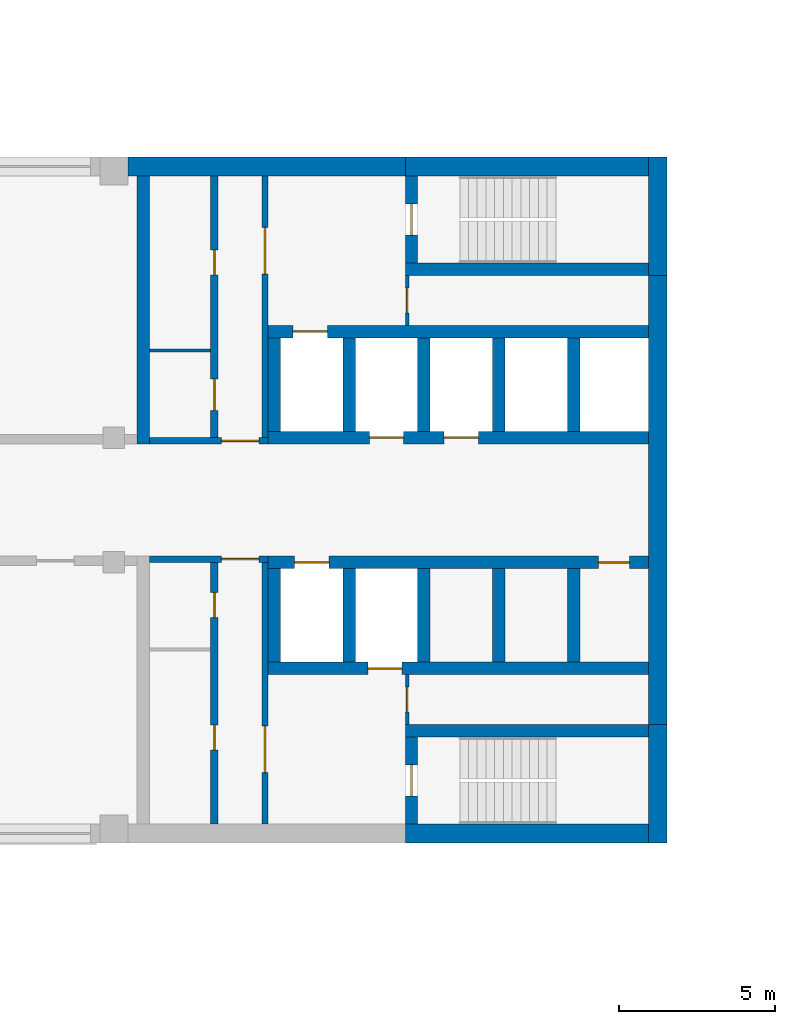
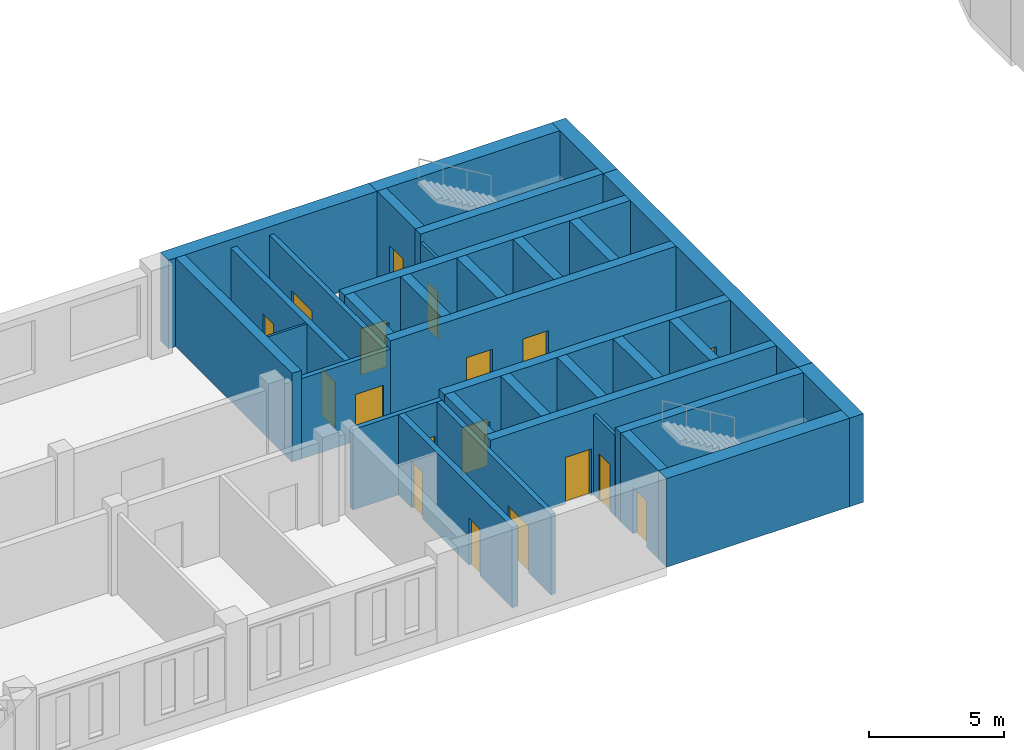
# One storey, part 6 of 12: 34 walls, 18 doors, 18 openings.
"""IFC4 building model written with IfcOpenShell, lengths in metres."""

from ifc_helpers import new_model, si_unit, direction, frame, frame_2d, origin, place, context, subcontext, project, spatial, rectangle, extrude, material, layer, layer_set, type_object, element, fill, save


model = new_model("IFC4")

# Units and contexts
model_context = context("Model", 3, precision=1e-05, world=origin(), true_north=direction((0.0, 1.0)))
body_context = subcontext(model_context, "Body", "Model", "MODEL_VIEW")
ifc_project = project(units=[si_unit("LENGTHUNIT", "METRE"), si_unit("AREAUNIT", "SQUARE_METRE"), si_unit("VOLUMEUNIT", "CUBIC_METRE"), si_unit("PLANEANGLEUNIT", "RADIAN"), si_unit("MASSUNIT", "GRAM", prefix="KILO")], contexts=[model_context])

# Site, building, storey
site_placement = place(None, origin())
site = spatial("IfcSite", under=ifc_project, at=site_placement, CompositionType="ELEMENT")
building_placement = place(site_placement, origin())
building = spatial("IfcBuilding", under=site, at=building_placement, Name="Skarvind Civic Tower", CompositionType="ELEMENT")
storey_placement = place(building_placement, frame((0.0, 0.0, 51.5)))
storey = spatial("IfcBuildingStorey", under=building, at=storey_placement, Name="L11", CompositionType="ELEMENT", Elevation=51.5)

# Wall, opening, door
ifc_material_1 = material(Name="Fire-rated masonry partition", Category="masonry")
ifc_layer_1 = layer(ifc_material_1, 0.199951171875)
ifc_layer_set_1 = layer_set([ifc_layer_1], Name="Core enclosure wall 200")
wall_type_1 = type_object("IfcWallType", Name="Core enclosure wall 200", PredefinedType="PARTITIONING", material=ifc_layer_set_1)
wall_1_placement = place(storey_placement, frame((95.199951171875, 126.10009765625, 0.0), z_axis=(0.0, 0.0, 1.0), x_axis=(-1.0, 0.0, 0.0)))
wall_1 = element("IfcWall", 1, at=wall_1_placement, inside=storey, type_object=wall_type_1, Name="Core wall C1", PredefinedType="PARTITIONING", context=body_context, shape_type="SweptSolid", body=[
    extrude(rectangle(XDim=3.800048828125, YDim=0.199951171875, at=frame_2d((1.89990234375, 0.0))), origin(), (0.0, 0.0, 1.0), 3.625),
])
opening_1_placement = place(wall_1_placement, frame((0.300048828125, 0.0, 0.0)))
opening_1 = element("IfcOpeningElement", 2, at=opening_1_placement, cuts=wall_1, Name="Opening D-L11-C1-05", PredefinedType="OPENING", context=body_context, shape_type="SweptSolid", body=[
    extrude(rectangle(XDim=1.199951171875, YDim=2.10009765625, at=frame_2d((0.60009765625, 1.050048828125))), frame((0.0, 0.10986328125, 0.0), z_axis=(0.0, -1.0, 0.0), x_axis=(1.0, 0.0, 0.0)), (0.0, 0.0, 1.0), 0.219970703125),
])
ifc_material_2 = material(Name="Fire-rated steel door", Category="steel")
door_type_1 = type_object("IfcDoorType", Name="Core lobby door 1200", OperationType="NOTDEFINED", PredefinedType="DOOR", material=ifc_material_2)
door_1_placement = place(opening_1_placement, origin())
door_1 = element("IfcDoor", 3, at=door_1_placement, inside=storey, type_object=door_type_1, Name="Fire door", OperationType="DOUBLE_DOOR_SINGLE_SWING", OverallHeight=2.10009765625, OverallWidth=1.199951171875, PredefinedType="DOOR", context=body_context, shape_type="SweptSolid", body=[
    extrude(rectangle(XDim=1.199951171875, YDim=2.10009765625, at=frame_2d((0.60009765625, 1.050048828125))), frame((0.0, 0.02490234375, 0.0), z_axis=(0.0, -1.0, 0.0), x_axis=(1.0, 0.0, 0.0)), (0.0, 0.0, 1.0), 0.050048828125),
])
fill(opening_1, door_1)

wall_2_placement = place(storey_placement, frame((95.10009765625, 117.60009765625, 0.0), z_axis=(0.0, 0.0, 1.0), x_axis=(0.0, 1.0, 0.0)))
wall_2 = element("IfcWall", 4, at=wall_2_placement, inside=storey, type_object=wall_type_1, Name="Core wall C1", PredefinedType="PARTITIONING", context=body_context, shape_type="SweptSolid", body=[
    extrude(rectangle(XDim=8.39990234375, YDim=0.199951171875, at=frame_2d((4.199951171875, 0.0))), origin(), (0.0, 0.0, 1.0), 3.625),
])
opening_2_placement = place(wall_2_placement, frame((1.64990234375, 0.0, 0.0)))
opening_2 = element("IfcOpeningElement", 5, at=opening_2_placement, cuts=wall_2, Name="Opening D-L11-C1-06", PredefinedType="OPENING", context=body_context, shape_type="SweptSolid", body=[
    extrude(rectangle(XDim=1.5, YDim=2.10009765625, at=frame_2d((0.75, 1.050048828125))), frame((0.0, 0.10986328125, 0.0), z_axis=(0.0, -1.0, 0.0), x_axis=(1.0, 0.0, 0.0)), (0.0, 0.0, 1.0), 0.219970703125),
])
door_type_2 = type_object("IfcDoorType", Name="Fire door 1500", OperationType="NOTDEFINED", PredefinedType="DOOR", material=ifc_material_2)
door_2_placement = place(opening_2_placement, origin())
door_2 = element("IfcDoor", 6, at=door_2_placement, inside=storey, type_object=door_type_2, Name="Fire door", OperationType="DOUBLE_DOOR_SINGLE_SWING", OverallHeight=2.10009765625, OverallWidth=1.5, PredefinedType="DOOR", context=body_context, shape_type="SweptSolid", body=[
    extrude(rectangle(XDim=1.5, YDim=2.10009765625, at=frame_2d((0.75, 1.050048828125))), frame((0.0, 0.02490234375, 0.0), z_axis=(0.0, -1.0, 0.0), x_axis=(1.0, 0.0, 0.0)), (0.0, 0.0, 1.0), 0.050048828125),
])
fill(opening_2, door_2)

wall_3_placement = place(storey_placement, frame((91.39990234375, 129.89990234375, 0.0), z_axis=(0.0, 0.0, 1.0), x_axis=(1.0, 0.0, 0.0)))
wall_3 = element("IfcWall", 7, at=wall_3_placement, inside=storey, type_object=wall_type_1, Name="Core wall C1", PredefinedType="PARTITIONING", context=body_context, shape_type="SweptSolid", body=[
    extrude(rectangle(XDim=3.800048828125, YDim=0.199951171875, at=frame_2d((1.89990234375, 0.0))), origin(), (0.0, 0.0, 1.0), 3.625),
])
opening_3_placement = place(wall_3_placement, frame((2.300048828125, 0.0, 0.0)))
opening_3 = element("IfcOpeningElement", 8, at=opening_3_placement, cuts=wall_3, Name="Opening D-L11-C1-11", PredefinedType="OPENING", context=body_context, shape_type="SweptSolid", body=[
    extrude(rectangle(XDim=1.199951171875, YDim=2.10009765625, at=frame_2d((0.60009765625, 1.050048828125))), frame((0.0, 0.10986328125, 0.0), z_axis=(0.0, -1.0, 0.0), x_axis=(1.0, 0.0, 0.0)), (0.0, 0.0, 1.0), 0.219970703125),
])
door_3_placement = place(opening_3_placement, origin())
door_3 = element("IfcDoor", 9, at=door_3_placement, inside=storey, type_object=door_type_1, Name="Fire door", OperationType="DOUBLE_DOOR_SINGLE_SWING", OverallHeight=2.10009765625, OverallWidth=1.199951171875, PredefinedType="DOOR", context=body_context, shape_type="SweptSolid", body=[
    extrude(rectangle(XDim=1.199951171875, YDim=2.10009765625, at=frame_2d((0.60009765625, 1.050048828125))), frame((0.0, 0.02490234375, 0.0), z_axis=(0.0, -1.0, 0.0), x_axis=(1.0, 0.0, 0.0)), (0.0, 0.0, 1.0), 0.050048828125),
])
fill(opening_3, door_3)

wall_4_placement = place(storey_placement, frame((95.10009765625, 130.0, 0.0), z_axis=(0.0, 0.0, 1.0), x_axis=(0.0, 1.0, 0.0)))
wall_4 = element("IfcWall", 10, at=wall_4_placement, inside=storey, type_object=wall_type_1, Name="Core wall C1", PredefinedType="PARTITIONING", context=body_context, shape_type="SweptSolid", body=[
    extrude(rectangle(XDim=8.39990234375, YDim=0.199951171875, at=frame_2d((4.199951171875, 0.0))), origin(), (0.0, 0.0, 1.0), 3.625),
])
opening_4_placement = place(wall_4_placement, frame((5.25, 0.0, 0.0)))
opening_4 = element("IfcOpeningElement", 11, at=opening_4_placement, cuts=wall_4, Name="Opening D-L11-C1-12", PredefinedType="OPENING", context=body_context, shape_type="SweptSolid", body=[
    extrude(rectangle(XDim=1.5, YDim=2.10009765625, at=frame_2d((0.75, 1.050048828125))), frame((0.0, 0.10986328125, 0.0), z_axis=(0.0, -1.0, 0.0), x_axis=(1.0, 0.0, 0.0)), (0.0, 0.0, 1.0), 0.219970703125),
])
door_4_placement = place(opening_4_placement, origin())
door_4 = element("IfcDoor", 12, at=door_4_placement, inside=storey, type_object=door_type_2, Name="Fire door", OperationType="DOUBLE_DOOR_SINGLE_SWING", OverallHeight=2.10009765625, OverallWidth=1.5, PredefinedType="DOOR", context=body_context, shape_type="SweptSolid", body=[
    extrude(rectangle(XDim=1.5, YDim=2.10009765625, at=frame_2d((0.75, 1.050048828125))), frame((0.0, 0.02490234375, 0.0), z_axis=(0.0, -1.0, 0.0), x_axis=(1.0, 0.0, 0.0)), (0.0, 0.0, 1.0), 0.050048828125),
])
fill(opening_4, door_4)

# Walls
ifc_material_3 = material(Name="Fire-rated plasterboard partition")
ifc_layer_2 = layer(ifc_material_3, 0.10009765625)
ifc_layer_set_2 = layer_set([ifc_layer_2], Name="Core partition wall 100")
wall_type_2 = type_object("IfcWallType", Name="Core partition wall 100", PredefinedType="PARTITIONING", material=ifc_layer_set_2)
wall_5_placement = place(storey_placement, frame((91.39990234375, 132.800048828125, 0.0), z_axis=(0.0, 0.0, 1.0), x_axis=(1.0, 0.0, 0.0)))
element("IfcWall", 13, at=wall_5_placement, inside=storey, type_object=wall_type_2, Name="Core wall C1", PredefinedType="PARTITIONING", context=body_context, shape_type="SweptSolid", body=[
    extrude(rectangle(XDim=1.9501953125, YDim=0.10009765625, at=frame_2d((0.97509765625, 0.0))), origin(), (0.0, 0.0, 1.0), 3.625),
])
ifc_material_4 = material(Name="Concrete C80", Category="concrete")
ifc_layer_3 = layer(ifc_material_4, 0.39990234375)
ifc_layer_set_3 = layer_set([ifc_layer_3], Name="Core wall 400 C80")
wall_type_3 = type_object("IfcWallType", Name="Core wall 400 C80", PredefinedType="SHEAR", material=ifc_layer_set_3)
wall_6_placement = place(storey_placement, frame((107.39990234375, 135.39990234375, 0.0), z_axis=(0.0, 0.0, 1.0), x_axis=(-1.0, 0.0, 0.0)))
element("IfcWall", 14, at=wall_6_placement, inside=storey, type_object=wall_type_3, Name="Core wall C1 south stair inner L11", PredefinedType="SHEAR", context=body_context, shape_type="SweptSolid", body=[
    extrude(rectangle(XDim=7.7998046875, YDim=0.39990234375, at=frame_2d((3.89990234375, 0.0))), origin(), (0.0, 0.0, 1.0), 4.0),
])

# Wall, opening, door
wall_7_placement = place(storey_placement, frame((99.800048828125, 138.39990234375, 0.0), z_axis=(0.0, 0.0, 1.0), x_axis=(0.0, -1.0, 0.0)))
wall_7 = element("IfcWall", 15, at=wall_7_placement, inside=storey, type_object=wall_type_3, Name="Core wall C1 south stair end L11", PredefinedType="SHEAR", context=body_context, shape_type="SweptSolid", body=[
    extrude(rectangle(XDim=2.7998046875, YDim=0.39990234375, at=frame_2d((1.39990234375, 0.0))), origin(), (0.0, 0.0, 1.0), 4.0),
])
opening_5_placement = place(wall_7_placement, frame((0.89990234375, 0.0, 0.0)))
opening_5 = element("IfcOpeningElement", 16, at=opening_5_placement, cuts=wall_7, Name="Opening D-L11-C1-13", PredefinedType="OPENING", context=body_context, shape_type="SweptSolid", body=[
    extrude(rectangle(XDim=1.0, YDim=2.10009765625, at=frame_2d((0.5, 1.050048828125))), frame((0.0, 0.2099609375, 0.0), z_axis=(0.0, -1.0, 0.0), x_axis=(1.0, 0.0, 0.0)), (0.0, 0.0, 1.0), 0.419921875),
])
door_type_3 = type_object("IfcDoorType", Name="Fire door 1000", OperationType="NOTDEFINED", PredefinedType="DOOR", material=ifc_material_2)
door_5_placement = place(opening_5_placement, origin())
door_5 = element("IfcDoor", 17, at=door_5_placement, inside=storey, type_object=door_type_3, Name="Fire door", OperationType="SINGLE_SWING_RIGHT", OverallHeight=2.10009765625, OverallWidth=1.0, PredefinedType="DOOR", context=body_context, shape_type="SweptSolid", body=[
    extrude(rectangle(XDim=1.0, YDim=2.10009765625, at=frame_2d((0.5, 1.050048828125))), frame((0.0, 0.02490234375, 0.0), z_axis=(0.0, -1.0, 0.0), x_axis=(1.0, 0.0, 0.0)), (0.0, 0.0, 1.0), 0.050048828125),
])
fill(opening_5, door_5)

# Wall
wall_8_placement = place(storey_placement, frame((107.39990234375, 120.60009765625, 0.0), z_axis=(0.0, 0.0, 1.0), x_axis=(-1.0, 0.0, 0.0)))
element("IfcWall", 18, at=wall_8_placement, inside=storey, type_object=wall_type_3, Name="Core wall C1 north stair inner L11", PredefinedType="SHEAR", context=body_context, shape_type="SweptSolid", body=[
    extrude(rectangle(XDim=7.7998046875, YDim=0.39990234375, at=frame_2d((3.89990234375, 0.0))), origin(), (0.0, 0.0, 1.0), 4.0),
])

# Wall, opening, door
wall_9_placement = place(storey_placement, frame((99.800048828125, 120.39990234375, 0.0), z_axis=(0.0, 0.0, 1.0), x_axis=(0.0, -1.0, 0.0)))
wall_9 = element("IfcWall", 19, at=wall_9_placement, inside=storey, type_object=wall_type_3, Name="Core wall C1 north stair end L11", PredefinedType="SHEAR", context=body_context, shape_type="SweptSolid", body=[
    extrude(rectangle(XDim=2.7998046875, YDim=0.39990234375, at=frame_2d((1.39990234375, 0.0))), origin(), (0.0, 0.0, 1.0), 4.0),
])
opening_6_placement = place(wall_9_placement, frame((0.89990234375, 0.0, 0.0)))
opening_6 = element("IfcOpeningElement", 20, at=opening_6_placement, cuts=wall_9, Name="Opening D-L11-C1-07", PredefinedType="OPENING", context=body_context, shape_type="SweptSolid", body=[
    extrude(rectangle(XDim=1.0, YDim=2.10009765625, at=frame_2d((0.5, 1.050048828125))), frame((0.0, 0.2099609375, 0.0), z_axis=(0.0, -1.0, 0.0), x_axis=(1.0, 0.0, 0.0)), (0.0, 0.0, 1.0), 0.419921875),
])
door_6_placement = place(opening_6_placement, origin())
door_6 = element("IfcDoor", 21, at=door_6_placement, inside=storey, type_object=door_type_3, Name="Fire door", OperationType="SINGLE_SWING_LEFT", OverallHeight=2.10009765625, OverallWidth=1.0, PredefinedType="DOOR", context=body_context, shape_type="SweptSolid", body=[
    extrude(rectangle(XDim=1.0, YDim=2.10009765625, at=frame_2d((0.5, 1.050048828125))), frame((0.0, 0.02490234375, 0.0), z_axis=(0.0, -1.0, 0.0), x_axis=(1.0, 0.0, 0.0)), (0.0, 0.0, 1.0), 0.050048828125),
])
fill(opening_6, door_6)

# Wall, openings, doors
wall_10_placement = place(storey_placement, frame((107.39990234375, 130.0, 0.0), z_axis=(0.0, 0.0, 1.0), x_axis=(-1.0, 0.0, 0.0)))
wall_10 = element("IfcWall", 22, at=wall_10_placement, inside=storey, type_object=wall_type_3, Name="Core wall C1 south lift row front L11", PredefinedType="SHEAR", context=body_context, shape_type="SweptSolid", body=[
    extrude(rectangle(XDim=12.199951171875, YDim=0.39990234375, at=frame_2d((6.10009765625, 0.0))), origin(), (0.0, 0.0, 1.0), 4.0),
])
opening_7_placement = place(wall_10_placement, frame((5.449951171875, 0.0, 0.0)))
opening_7 = element("IfcOpeningElement", 23, at=opening_7_placement, cuts=wall_10, Name="Opening LD13108", PredefinedType="OPENING", context=body_context, shape_type="SweptSolid", body=[
    extrude(rectangle(XDim=1.10009765625, YDim=2.10009765625, at=frame_2d((0.550048828125, 1.050048828125))), frame((0.0, 0.2099609375, 0.0), z_axis=(0.0, -1.0, 0.0), x_axis=(1.0, 0.0, 0.0)), (0.0, 0.0, 1.0), 0.419921875),
])
opening_8_placement = place(wall_10_placement, frame((7.85009765625, 0.0, 0.0)))
opening_8 = element("IfcOpeningElement", 24, at=opening_8_placement, cuts=wall_10, Name="Opening LD13109", PredefinedType="OPENING", context=body_context, shape_type="SweptSolid", body=[
    extrude(rectangle(XDim=1.10009765625, YDim=2.10009765625, at=frame_2d((0.550048828125, 1.050048828125))), frame((0.0, 0.2099609375, 0.0), z_axis=(0.0, -1.0, 0.0), x_axis=(1.0, 0.0, 0.0)), (0.0, 0.0, 1.0), 0.419921875),
])
ifc_material_5 = material(Name="Stainless steel landing door", Category="steel")
door_type_4 = type_object("IfcDoorType", Name="Lift landing door 1100", OperationType="DOUBLE_DOOR_SLIDING", PredefinedType="DOOR", material=ifc_material_5)
door_7_placement = place(opening_7_placement, origin())
door_7 = element("IfcDoor", 25, at=door_7_placement, inside=storey, type_object=door_type_4, Name="Lift landing door", OperationType="DOUBLE_DOOR_SLIDING", OverallHeight=2.10009765625, OverallWidth=1.10009765625, PredefinedType="DOOR", context=body_context, shape_type="SweptSolid", body=[
    extrude(rectangle(XDim=1.10009765625, YDim=2.10009765625, at=frame_2d((0.550048828125, 1.050048828125))), frame((0.0, 0.02490234375, 0.0), z_axis=(0.0, -1.0, 0.0), x_axis=(1.0, 0.0, 0.0)), (0.0, 0.0, 1.0), 0.050048828125),
])
fill(opening_7, door_7)
door_8_placement = place(opening_8_placement, origin())
door_8 = element("IfcDoor", 26, at=door_8_placement, inside=storey, type_object=door_type_4, Name="Lift landing door", OperationType="DOUBLE_DOOR_SLIDING", OverallHeight=2.10009765625, OverallWidth=1.10009765625, PredefinedType="DOOR", context=body_context, shape_type="SweptSolid", body=[
    extrude(rectangle(XDim=1.10009765625, YDim=2.10009765625, at=frame_2d((0.550048828125, 1.050048828125))), frame((0.0, 0.02490234375, 0.0), z_axis=(0.0, -1.0, 0.0), x_axis=(1.0, 0.0, 0.0)), (0.0, 0.0, 1.0), 0.050048828125),
])
fill(opening_8, door_8)

# Wall, opening, door
wall_11_placement = place(storey_placement, frame((107.39990234375, 133.39990234375, 0.0), z_axis=(0.0, 0.0, 1.0), x_axis=(-1.0, 0.0, 0.0)))
wall_11 = element("IfcWall", 27, at=wall_11_placement, inside=storey, type_object=wall_type_3, Name="Core wall C1 south lift row back L11", PredefinedType="SHEAR", context=body_context, shape_type="SweptSolid", body=[
    extrude(rectangle(XDim=12.199951171875, YDim=0.39990234375, at=frame_2d((6.10009765625, 0.0))), origin(), (0.0, 0.0, 1.0), 4.0),
])
opening_9_placement = place(wall_11_placement, frame((10.300048828125, 0.0, 0.0)))
opening_9 = element("IfcOpeningElement", 28, at=opening_9_placement, cuts=wall_11, Name="Opening LD13110", PredefinedType="OPENING", context=body_context, shape_type="SweptSolid", body=[
    extrude(rectangle(XDim=1.10009765625, YDim=2.10009765625, at=frame_2d((0.550048828125, 1.050048828125))), frame((0.0, 0.2099609375, 0.0), z_axis=(0.0, -1.0, 0.0), x_axis=(1.0, 0.0, 0.0)), (0.0, 0.0, 1.0), 0.419921875),
])
door_9_placement = place(opening_9_placement, origin())
door_9 = element("IfcDoor", 29, at=door_9_placement, inside=storey, type_object=door_type_4, Name="Lift landing door", OperationType="DOUBLE_DOOR_SLIDING", OverallHeight=2.10009765625, OverallWidth=1.10009765625, PredefinedType="DOOR", context=body_context, shape_type="SweptSolid", body=[
    extrude(rectangle(XDim=1.10009765625, YDim=2.10009765625, at=frame_2d((0.550048828125, 1.050048828125))), frame((0.0, 0.02490234375, 0.0), z_axis=(0.0, -1.0, 0.0), x_axis=(1.0, 0.0, 0.0)), (0.0, 0.0, 1.0), 0.050048828125),
])
fill(opening_9, door_9)

# Walls
for number, where, z_axis, x_axis, name in (
    (30, (105.0, 133.199951171875, 0.0), (0.0, 0.0, 1.0), (0.0, -1.0, 0.0), "Core wall C1 south lift row division 1 L11"),
    (31, (102.60009765625, 133.199951171875, 0.0), (0.0, 0.0, 1.0), (0.0, -1.0, 0.0), "Core wall C1 south lift row division 2 L11"),
    (32, (100.199951171875, 133.199951171875, 0.0), (0.0, 0.0, 1.0), (0.0, -1.0, 0.0), "Core wall C1 south lift row division 3 L11"),
    (33, (97.800048828125, 133.199951171875, 0.0), (0.0, 0.0, 1.0), (0.0, -1.0, 0.0), "Core wall C1 south lift row division 4 L11"),
    (34, (95.39990234375, 133.199951171875, 0.0), (0.0, 0.0, 1.0), (0.0, -1.0, 0.0), "Core wall C1 south lift row division 5 L11"),
):
    element("IfcWall", number, at=place(storey_placement, frame(where, z_axis=z_axis, x_axis=x_axis)), inside=storey, type_object=wall_type_3, Name=name, PredefinedType="SHEAR", context=body_context, shape_type="SweptSolid", body=[
        extrude(rectangle(XDim=3.0, YDim=0.39990234375, at=frame_2d((1.5, 0.0))), origin(), (0.0, 0.0, 1.0), 4.0),
    ])

# Wall, openings, doors
wall_12_placement = place(storey_placement, frame((107.39990234375, 126.0, 0.0), z_axis=(0.0, 0.0, 1.0), x_axis=(-1.0, 0.0, 0.0)))
wall_12 = element("IfcWall", 35, at=wall_12_placement, inside=storey, type_object=wall_type_3, Name="Core wall C1 north lift row front L11", PredefinedType="SHEAR", context=body_context, shape_type="SweptSolid", body=[
    extrude(rectangle(XDim=12.199951171875, YDim=0.39990234375, at=frame_2d((6.10009765625, 0.0))), origin(), (0.0, 0.0, 1.0), 4.0),
])
opening_10_placement = place(wall_12_placement, frame((10.25, 0.0, 0.0)))
opening_10 = element("IfcOpeningElement", 36, at=opening_10_placement, cuts=wall_12, Name="Opening LD13105", PredefinedType="OPENING", context=body_context, shape_type="SweptSolid", body=[
    extrude(rectangle(XDim=1.10009765625, YDim=2.10009765625, at=frame_2d((0.550048828125, 1.050048828125))), frame((0.0, 0.2099609375, 0.0), z_axis=(0.0, -1.0, 0.0), x_axis=(1.0, 0.0, 0.0)), (0.0, 0.0, 1.0), 0.419921875),
])
opening_11_placement = place(wall_12_placement, frame((0.60009765625, 0.0, 0.0)))
opening_11 = element("IfcOpeningElement", 37, at=opening_11_placement, cuts=wall_12, Name="Opening D-L11-C1-04", PredefinedType="OPENING", context=body_context, shape_type="SweptSolid", body=[
    extrude(rectangle(XDim=1.0, YDim=2.10009765625, at=frame_2d((0.5, 1.050048828125))), frame((0.0, 0.2099609375, 0.0), z_axis=(0.0, -1.0, 0.0), x_axis=(1.0, 0.0, 0.0)), (0.0, 0.0, 1.0), 0.419921875),
])
door_10_placement = place(opening_11_placement, origin())
door_10 = element("IfcDoor", 38, at=door_10_placement, inside=storey, type_object=door_type_3, Name="Fire door", OperationType="SINGLE_SWING_LEFT", OverallHeight=2.10009765625, OverallWidth=1.0, PredefinedType="DOOR", context=body_context, shape_type="SweptSolid", body=[
    extrude(rectangle(XDim=1.0, YDim=2.10009765625, at=frame_2d((0.5, 1.050048828125))), frame((0.0, 0.02490234375, 0.0), z_axis=(0.0, -1.0, 0.0), x_axis=(1.0, 0.0, 0.0)), (0.0, 0.0, 1.0), 0.050048828125),
])
fill(opening_11, door_10)
door_11_placement = place(opening_10_placement, origin())
door_11 = element("IfcDoor", 39, at=door_11_placement, inside=storey, type_object=door_type_4, Name="Lift landing door", OperationType="DOUBLE_DOOR_SLIDING", OverallHeight=2.10009765625, OverallWidth=1.10009765625, PredefinedType="DOOR", context=body_context, shape_type="SweptSolid", body=[
    extrude(rectangle(XDim=1.10009765625, YDim=2.10009765625, at=frame_2d((0.550048828125, 1.050048828125))), frame((0.0, 0.02490234375, 0.0), z_axis=(0.0, -1.0, 0.0), x_axis=(1.0, 0.0, 0.0)), (0.0, 0.0, 1.0), 0.050048828125),
])
fill(opening_10, door_11)

# Wall, opening, door
wall_13_placement = place(storey_placement, frame((107.39990234375, 122.60009765625, 0.0), z_axis=(0.0, 0.0, 1.0), x_axis=(-1.0, 0.0, 0.0)))
wall_13 = element("IfcWall", 40, at=wall_13_placement, inside=storey, type_object=wall_type_3, Name="Core wall C1 north lift row back L11", PredefinedType="SHEAR", context=body_context, shape_type="SweptSolid", body=[
    extrude(rectangle(XDim=12.199951171875, YDim=0.39990234375, at=frame_2d((6.10009765625, 0.0))), origin(), (0.0, 0.0, 1.0), 4.0),
])
opening_12_placement = place(wall_13_placement, frame((7.89990234375, 0.0, 0.0)))
opening_12 = element("IfcOpeningElement", 41, at=opening_12_placement, cuts=wall_13, Name="Opening LD13104", PredefinedType="OPENING", context=body_context, shape_type="SweptSolid", body=[
    extrude(rectangle(XDim=1.10009765625, YDim=2.10009765625, at=frame_2d((0.550048828125, 1.050048828125))), frame((0.0, 0.2099609375, 0.0), z_axis=(0.0, -1.0, 0.0), x_axis=(1.0, 0.0, 0.0)), (0.0, 0.0, 1.0), 0.419921875),
])
door_12_placement = place(opening_12_placement, origin())
door_12 = element("IfcDoor", 42, at=door_12_placement, inside=storey, type_object=door_type_4, Name="Lift landing door", OperationType="DOUBLE_DOOR_SLIDING", OverallHeight=2.10009765625, OverallWidth=1.10009765625, PredefinedType="DOOR", context=body_context, shape_type="SweptSolid", body=[
    extrude(rectangle(XDim=1.10009765625, YDim=2.10009765625, at=frame_2d((0.550048828125, 1.050048828125))), frame((0.0, 0.02490234375, 0.0), z_axis=(0.0, -1.0, 0.0), x_axis=(1.0, 0.0, 0.0)), (0.0, 0.0, 1.0), 0.050048828125),
])
fill(opening_12, door_12)

# Walls
for number, where, z_axis, x_axis, name in (
    (43, (105.0, 125.800048828125, 0.0), (0.0, 0.0, 1.0), (0.0, -1.0, 0.0), "Core wall C1 north lift row division 1 L11"),
    (44, (102.60009765625, 125.800048828125, 0.0), (0.0, 0.0, 1.0), (0.0, -1.0, 0.0), "Core wall C1 north lift row division 2 L11"),
    (45, (100.199951171875, 125.800048828125, 0.0), (0.0, 0.0, 1.0), (0.0, -1.0, 0.0), "Core wall C1 north lift row division 3 L11"),
    (46, (97.800048828125, 125.800048828125, 0.0), (0.0, 0.0, 1.0), (0.0, -1.0, 0.0), "Core wall C1 north lift row division 4 L11"),
    (47, (95.39990234375, 125.800048828125, 0.0), (0.0, 0.0, 1.0), (0.0, -1.0, 0.0), "Core wall C1 north lift row division 5 L11"),
):
    element("IfcWall", number, at=place(storey_placement, frame(where, z_axis=z_axis, x_axis=x_axis)), inside=storey, type_object=wall_type_3, Name=name, PredefinedType="SHEAR", context=body_context, shape_type="SweptSolid", body=[
        extrude(rectangle(XDim=3.0, YDim=0.39990234375, at=frame_2d((1.5, 0.0))), origin(), (0.0, 0.0, 1.0), 4.0),
    ])
wall_14_placement = place(storey_placement, frame((91.199951171875, 138.39990234375, 0.0), z_axis=(0.0, 0.0, 1.0), x_axis=(0.0, -1.0, 0.0)))
element("IfcWall", 48, at=wall_14_placement, inside=storey, type_object=wall_type_3, Name="Core wall C1 south inner face L11", PredefinedType="SHEAR", context=body_context, shape_type="SweptSolid", body=[
    extrude(rectangle(XDim=8.599853515625, YDim=0.39990234375, at=frame_2d((4.2998046875, 0.0))), origin(), (0.0, 0.0, 1.0), 4.0),
])
ifc_layer_4 = layer(ifc_material_4, 0.60009765625)
ifc_layer_set_4 = layer_set([ifc_layer_4], Name="Core wall 600 C80")
wall_type_4 = type_object("IfcWallType", Name="Core wall 600 C80", PredefinedType="SHEAR", material=ifc_layer_set_4)
wall_15_placement = place(storey_placement, frame((107.699951171875, 139.0, 0.0), z_axis=(0.0, 0.0, 1.0), x_axis=(0.0, -1.0, 0.0)))
element("IfcWall", 49, at=wall_15_placement, inside=storey, type_object=wall_type_4, Name="Core wall C1 tip at the south stair L11", PredefinedType="SHEAR", context=body_context, shape_type="SweptSolid", body=[
    extrude(rectangle(XDim=3.800048828125, YDim=0.60009765625, at=frame_2d((1.89990234375, 0.0))), origin(), (0.0, 0.0, 1.0), 4.0),
])
wall_16_placement = place(storey_placement, frame((107.699951171875, 135.199951171875, 0.0), z_axis=(0.0, 0.0, 1.0), x_axis=(0.0, -1.0, 0.0)))
element("IfcWall", 50, at=wall_16_placement, inside=storey, type_object=wall_type_4, Name="Core wall C1 tip between the stairs L11", PredefinedType="SHEAR", context=body_context, shape_type="SweptSolid", body=[
    extrude(rectangle(XDim=14.39990234375, YDim=0.60009765625, at=frame_2d((7.199951171875, 0.0))), origin(), (0.0, 0.0, 1.0), 4.0),
])
wall_17_placement = place(storey_placement, frame((107.699951171875, 120.800048828125, 0.0), z_axis=(0.0, 0.0, 1.0), x_axis=(0.0, -1.0, 0.0)))
element("IfcWall", 51, at=wall_17_placement, inside=storey, type_object=wall_type_4, Name="Core wall C1 tip at the north stair L11", PredefinedType="SHEAR", context=body_context, shape_type="SweptSolid", body=[
    extrude(rectangle(XDim=3.800048828125, YDim=0.60009765625, at=frame_2d((1.89990234375, 0.0))), origin(), (0.0, 0.0, 1.0), 4.0),
])
for number, where, z_axis, x_axis, name in (
    (52, (107.39990234375, 138.699951171875, 0.0), (0.0, 0.0, 1.0), (-1.0, 0.0, 0.0), "Core wall C1 south side at the stair L11"),
    (53, (107.39990234375, 117.300048828125, 0.0), (0.0, 0.0, 1.0), (-1.0, 0.0, 0.0), "Core wall C1 north side at the stair L11"),
):
    element("IfcWall", number, at=place(storey_placement, frame(where, z_axis=z_axis, x_axis=x_axis)), inside=storey, type_object=wall_type_4, Name=name, PredefinedType="SHEAR", context=body_context, shape_type="SweptSolid", body=[
        extrude(rectangle(XDim=7.7998046875, YDim=0.60009765625, at=frame_2d((3.89990234375, 0.0))), origin(), (0.0, 0.0, 1.0), 4.0),
    ])
wall_18_placement = place(storey_placement, frame((99.60009765625, 138.699951171875, 0.0), z_axis=(0.0, 0.0, 1.0), x_axis=(-1.0, 0.0, 0.0)))
element("IfcWall", 54, at=wall_18_placement, inside=storey, type_object=wall_type_4, Name="Core wall C1 south side L11", PredefinedType="SHEAR", context=body_context, shape_type="SweptSolid", body=[
    extrude(rectangle(XDim=8.900146484375, YDim=0.60009765625, at=frame_2d((4.4501953125, 0.0))), origin(), (0.0, 0.0, 1.0), 4.0),
])

# Wall, opening, door
ifc_layer_5 = layer(ifc_material_1, 0.125)
ifc_layer_set_5 = layer_set([ifc_layer_5], Name="Riser wall 125")
wall_type_5 = type_object("IfcWallType", Name="Riser wall 125", PredefinedType="PARTITIONING", material=ifc_layer_set_5)
wall_19_placement = place(storey_placement, frame((99.66259765625, 120.800048828125, 0.0), z_axis=(0.0, 0.0, 1.0), x_axis=(0.0, 1.0, 0.0)))
wall_19 = element("IfcWall", 55, at=wall_19_placement, inside=storey, type_object=wall_type_5, Name="Core wall C1", PredefinedType="PARTITIONING", context=body_context, shape_type="SweptSolid", body=[
    extrude(rectangle(XDim=1.599853515625, YDim=0.125, at=frame_2d((0.7998046875, 0.0))), origin(), (0.0, 0.0, 1.0), 3.625),
])
opening_13_placement = place(wall_19_placement, frame((0.39990234375, 0.0, 0.0)))
opening_13 = element("IfcOpeningElement", 56, at=opening_13_placement, cuts=wall_19, Name="Opening D-L11-C1-08", PredefinedType="OPENING", context=body_context, shape_type="SweptSolid", body=[
    extrude(rectangle(XDim=0.800048828125, YDim=2.10009765625, at=frame_2d((0.39990234375, 1.050048828125))), frame((0.0, 0.072509765625, 0.0), z_axis=(0.0, -1.0, 0.0), x_axis=(1.0, 0.0, 0.0)), (0.0, 0.0, 1.0), 0.14501953125),
])
door_type_5 = type_object("IfcDoorType", Name="Core riser door 800", OperationType="NOTDEFINED", PredefinedType="DOOR", material=ifc_material_2)
door_13_placement = place(opening_13_placement, origin())
door_13 = element("IfcDoor", 57, at=door_13_placement, inside=storey, type_object=door_type_5, Name="Riser door", OperationType="SINGLE_SWING_RIGHT", OverallHeight=2.10009765625, OverallWidth=0.800048828125, PredefinedType="DOOR", context=body_context, shape_type="SweptSolid", body=[
    extrude(rectangle(XDim=0.800048828125, YDim=2.10009765625, at=frame_2d((0.39990234375, 1.050048828125))), frame((0.0, 0.02490234375, 0.0), z_axis=(0.0, -1.0, 0.0), x_axis=(1.0, 0.0, 0.0)), (0.0, 0.0, 1.0), 0.050048828125),
])
fill(opening_13, door_13)

wall_20_placement = place(storey_placement, frame((99.66259765625, 133.60009765625, 0.0), z_axis=(0.0, 0.0, 1.0), x_axis=(0.0, 1.0, 0.0)))
wall_20 = element("IfcWall", 58, at=wall_20_placement, inside=storey, type_object=wall_type_5, Name="Core wall C1", PredefinedType="PARTITIONING", context=body_context, shape_type="SweptSolid", body=[
    extrude(rectangle(XDim=1.599853515625, YDim=0.125, at=frame_2d((0.7998046875, 0.0))), origin(), (0.0, 0.0, 1.0), 3.625),
])
opening_14_placement = place(wall_20_placement, frame((0.39990234375, 0.0, 0.0)))
opening_14 = element("IfcOpeningElement", 59, at=opening_14_placement, cuts=wall_20, Name="Opening D-L11-C1-14", PredefinedType="OPENING", context=body_context, shape_type="SweptSolid", body=[
    extrude(rectangle(XDim=0.800048828125, YDim=2.10009765625, at=frame_2d((0.39990234375, 1.050048828125))), frame((0.0, 0.072509765625, 0.0), z_axis=(0.0, -1.0, 0.0), x_axis=(1.0, 0.0, 0.0)), (0.0, 0.0, 1.0), 0.14501953125),
])
door_14_placement = place(opening_14_placement, origin())
door_14 = element("IfcDoor", 60, at=door_14_placement, inside=storey, type_object=door_type_5, Name="Riser door", OperationType="SINGLE_SWING_LEFT", OverallHeight=2.10009765625, OverallWidth=0.800048828125, PredefinedType="DOOR", context=body_context, shape_type="SweptSolid", body=[
    extrude(rectangle(XDim=0.800048828125, YDim=2.10009765625, at=frame_2d((0.39990234375, 1.050048828125))), frame((0.0, 0.02490234375, 0.0), z_axis=(0.0, -1.0, 0.0), x_axis=(1.0, 0.0, 0.0)), (0.0, 0.0, 1.0), 0.050048828125),
])
fill(opening_14, door_14)

# Wall, openings, doors
ifc_layer_6 = layer(ifc_material_1, 0.25)
ifc_layer_set_6 = layer_set([ifc_layer_6], Name="Service block wall 250")
wall_type_6 = type_object("IfcWallType", Name="Service block wall 250", PredefinedType="PARTITIONING", material=ifc_layer_set_6)
wall_21_placement = place(storey_placement, frame((93.47509765625, 117.60009765625, 0.0), z_axis=(0.0, 0.0, 1.0), x_axis=(0.0, 1.0, 0.0)))
wall_21 = element("IfcWall", 61, at=wall_21_placement, inside=storey, type_object=wall_type_6, Name="Core wall C1", PredefinedType="PARTITIONING", context=body_context, shape_type="SweptSolid", body=[
    extrude(rectangle(XDim=8.39990234375, YDim=0.25, at=frame_2d((4.199951171875, 0.0))), origin(), (0.0, 0.0, 1.0), 3.625),
])
opening_15_placement = place(wall_21_placement, frame((6.625, 0.0, 0.0)))
opening_15 = element("IfcOpeningElement", 62, at=opening_15_placement, cuts=wall_21, Name="Opening D-L11-C1-09", PredefinedType="OPENING", context=body_context, shape_type="SweptSolid", body=[
    extrude(rectangle(XDim=0.800048828125, YDim=2.10009765625, at=frame_2d((0.39990234375, 1.050048828125))), frame((0.0, 0.135009765625, 0.0), z_axis=(0.0, -1.0, 0.0), x_axis=(1.0, 0.0, 0.0)), (0.0, 0.0, 1.0), 0.27001953125),
])
opening_16_placement = place(wall_21_placement, frame((2.375, 0.0, 0.0)))
opening_16 = element("IfcOpeningElement", 63, at=opening_16_placement, cuts=wall_21, Name="Opening D-L11-C1-10", PredefinedType="OPENING", context=body_context, shape_type="SweptSolid", body=[
    extrude(rectangle(XDim=0.800048828125, YDim=2.10009765625, at=frame_2d((0.39990234375, 1.050048828125))), frame((0.0, 0.135009765625, 0.0), z_axis=(0.0, -1.0, 0.0), x_axis=(1.0, 0.0, 0.0)), (0.0, 0.0, 1.0), 0.27001953125),
])
door_15_placement = place(opening_15_placement, origin())
door_15 = element("IfcDoor", 64, at=door_15_placement, inside=storey, type_object=door_type_5, Name="Riser door", OperationType="SINGLE_SWING_LEFT", OverallHeight=2.10009765625, OverallWidth=0.800048828125, PredefinedType="DOOR", context=body_context, shape_type="SweptSolid", body=[
    extrude(rectangle(XDim=0.800048828125, YDim=2.10009765625, at=frame_2d((0.39990234375, 1.050048828125))), frame((0.0, 0.02490234375, 0.0), z_axis=(0.0, -1.0, 0.0), x_axis=(1.0, 0.0, 0.0)), (0.0, 0.0, 1.0), 0.050048828125),
])
fill(opening_15, door_15)
door_16_placement = place(opening_16_placement, origin())
door_16 = element("IfcDoor", 65, at=door_16_placement, inside=storey, type_object=door_type_5, Name="Riser door", OperationType="SINGLE_SWING_RIGHT", OverallHeight=2.10009765625, OverallWidth=0.800048828125, PredefinedType="DOOR", context=body_context, shape_type="SweptSolid", body=[
    extrude(rectangle(XDim=0.800048828125, YDim=2.10009765625, at=frame_2d((0.39990234375, 1.050048828125))), frame((0.0, 0.02490234375, 0.0), z_axis=(0.0, -1.0, 0.0), x_axis=(1.0, 0.0, 0.0)), (0.0, 0.0, 1.0), 0.050048828125),
])
fill(opening_16, door_16)

wall_22_placement = place(storey_placement, frame((93.47509765625, 130.0, 0.0), z_axis=(0.0, 0.0, 1.0), x_axis=(0.0, 1.0, 0.0)))
wall_22 = element("IfcWall", 66, at=wall_22_placement, inside=storey, type_object=wall_type_6, Name="Core wall C1", PredefinedType="PARTITIONING", context=body_context, shape_type="SweptSolid", body=[
    extrude(rectangle(XDim=8.39990234375, YDim=0.25, at=frame_2d((4.199951171875, 0.0))), origin(), (0.0, 0.0, 1.0), 3.625),
])
opening_17_placement = place(wall_22_placement, frame((0.875, 0.0, 0.0)))
opening_17 = element("IfcOpeningElement", 67, at=opening_17_placement, cuts=wall_22, Name="Opening D-L11-C1-15", PredefinedType="OPENING", context=body_context, shape_type="SweptSolid", body=[
    extrude(rectangle(XDim=1.0, YDim=2.10009765625, at=frame_2d((0.5, 1.050048828125))), frame((0.0, 0.135009765625, 0.0), z_axis=(0.0, -1.0, 0.0), x_axis=(1.0, 0.0, 0.0)), (0.0, 0.0, 1.0), 0.27001953125),
])
opening_18_placement = place(wall_22_placement, frame((5.22509765625, 0.0, 0.0)))
opening_18 = element("IfcOpeningElement", 68, at=opening_18_placement, cuts=wall_22, Name="Opening D-L11-C1-16", PredefinedType="OPENING", context=body_context, shape_type="SweptSolid", body=[
    extrude(rectangle(XDim=0.800048828125, YDim=2.10009765625, at=frame_2d((0.39990234375, 1.050048828125))), frame((0.0, 0.135009765625, 0.0), z_axis=(0.0, -1.0, 0.0), x_axis=(1.0, 0.0, 0.0)), (0.0, 0.0, 1.0), 0.27001953125),
])
door_17_placement = place(opening_18_placement, origin())
door_17 = element("IfcDoor", 69, at=door_17_placement, inside=storey, type_object=door_type_5, Name="Riser door", OperationType="SINGLE_SWING_LEFT", OverallHeight=2.10009765625, OverallWidth=0.800048828125, PredefinedType="DOOR", context=body_context, shape_type="SweptSolid", body=[
    extrude(rectangle(XDim=0.800048828125, YDim=2.10009765625, at=frame_2d((0.39990234375, 1.050048828125))), frame((0.0, 0.02490234375, 0.0), z_axis=(0.0, -1.0, 0.0), x_axis=(1.0, 0.0, 0.0)), (0.0, 0.0, 1.0), 0.050048828125),
])
fill(opening_18, door_17)
door_18_placement = place(opening_17_placement, origin())
door_18 = element("IfcDoor", 70, at=door_18_placement, inside=storey, type_object=door_type_3, Name="Fire door", OperationType="SINGLE_SWING_RIGHT", OverallHeight=2.10009765625, OverallWidth=1.0, PredefinedType="DOOR", context=body_context, shape_type="SweptSolid", body=[
    extrude(rectangle(XDim=1.0, YDim=2.10009765625, at=frame_2d((0.5, 1.050048828125))), frame((0.0, 0.02490234375, 0.0), z_axis=(0.0, -1.0, 0.0), x_axis=(1.0, 0.0, 0.0)), (0.0, 0.0, 1.0), 0.050048828125),
])
fill(opening_17, door_18)

save(model, "model.ifc")
